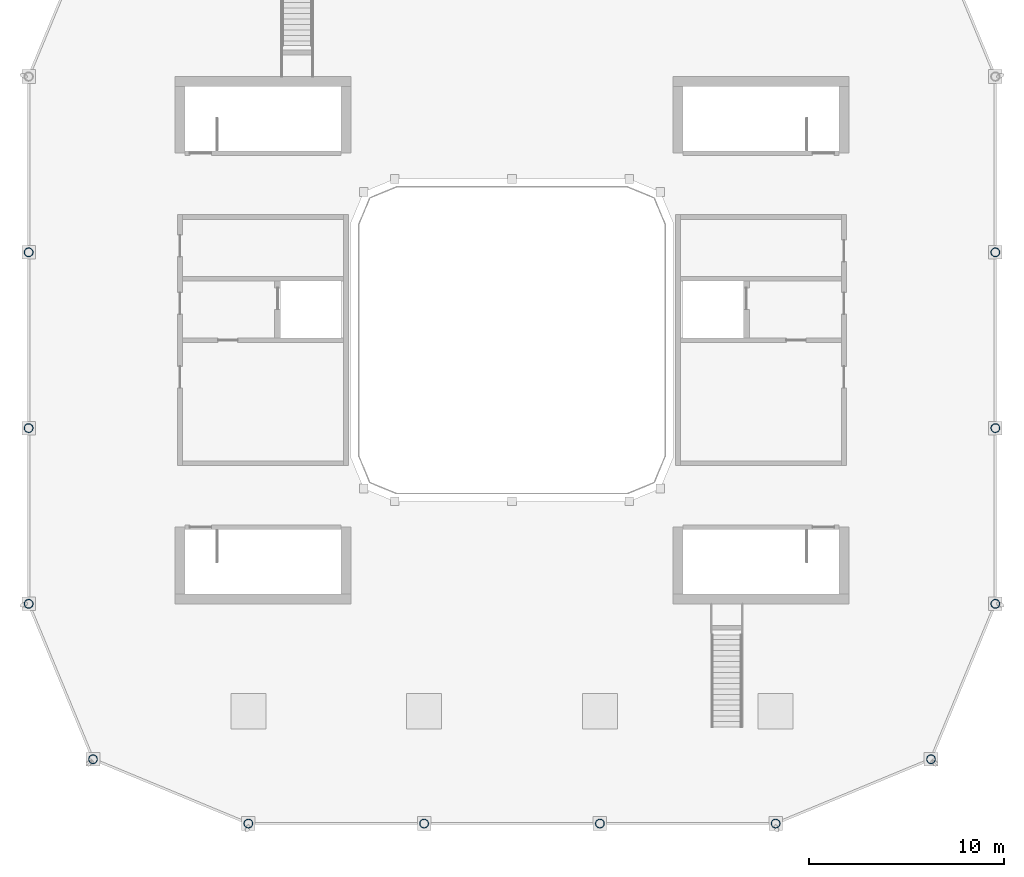
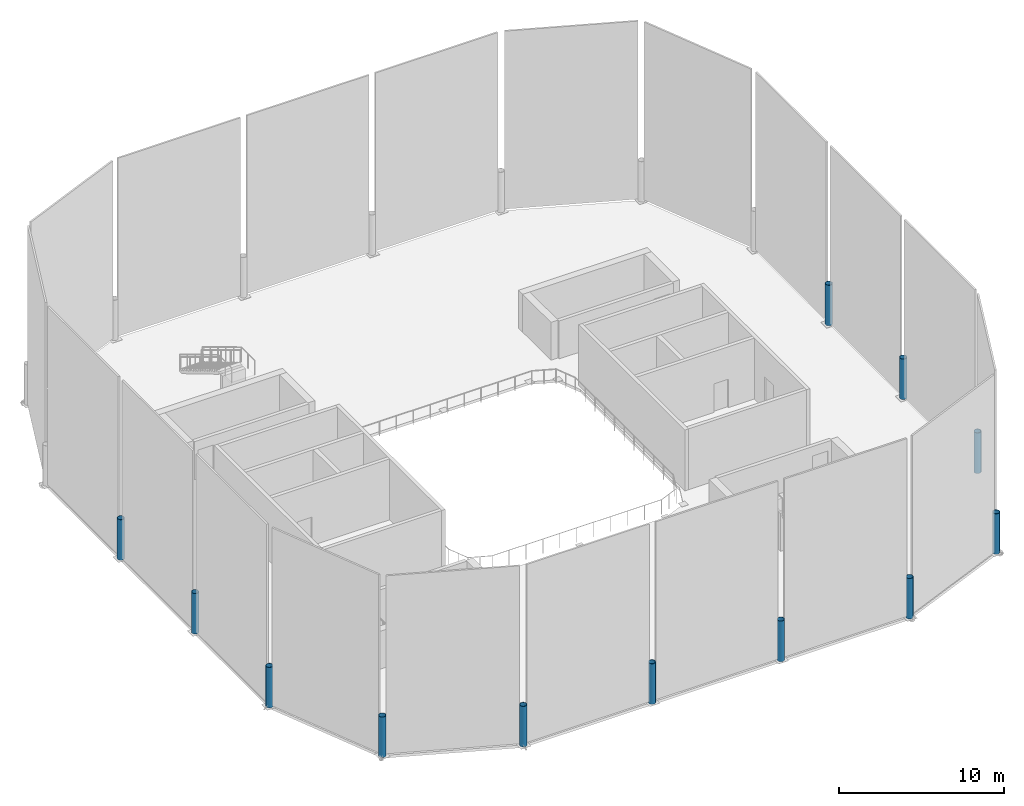
# One storey, part 1 of 8: 12 columns.
"""IFC4 building model written with IfcOpenShell, lengths in metres."""

from ifc_helpers import new_model, si_unit, direction, frame, origin, origin_2d, place, context, subcontext, project, spatial, hollow_circle, extrude, material, material_profile, profile_set, type_object, element, save


model = new_model("IFC4")

# Units and contexts
model_context = context("Model", 3, precision=1e-05, world=origin(), true_north=direction((0.0, 1.0)))
body_context = subcontext(model_context, "Body", "Model", "MODEL_VIEW")
ifc_project = project(units=[si_unit("LENGTHUNIT", "METRE"), si_unit("AREAUNIT", "SQUARE_METRE"), si_unit("VOLUMEUNIT", "CUBIC_METRE"), si_unit("PLANEANGLEUNIT", "RADIAN"), si_unit("MASSUNIT", "GRAM", prefix="KILO")], contexts=[model_context])

# Site, building, storey
site_placement = place(None, origin())
site = spatial("IfcSite", under=ifc_project, at=site_placement, CompositionType="ELEMENT")
building_placement = place(site_placement, origin())
building = spatial("IfcBuilding", under=site, at=building_placement, Name="Siwar Civic Tower", CompositionType="ELEMENT")
storey_placement = place(building_placement, frame((0.0, 0.0, 358.199951171875)))
storey = spatial("IfcBuildingStorey", under=building, at=storey_placement, Name="ROOF", CompositionType="ELEMENT", Elevation=358.199951171875)

# Columns
ifc_material = material(Name="Steel S355", Category="steel")
ifc_material_profile = material_profile(ifc_material, hollow_circle(Radius=0.228515625, WallThickness=0.02001953125, at=origin_2d()), Name="CHS457x20")
ifc_profile_set = profile_set([ifc_material_profile], Name="Steel S355")
column_type = type_object("IfcColumnType", Name="ENV-CROWN POST", PredefinedType="COLUMN", material=ifc_profile_set)
for number, where, z_axis, x_axis, name in (
    (1, (-13.5, -24.75, 0.0), (0.0, 0.0, 1.0), (1.0, 0.0, 0.0), "Crown post S-0"),
    (2, (-4.5, -24.75, 0.0), (0.0, 0.0, 1.0), (1.0, 0.0, 0.0), "Crown post S-1"),
    (3, (4.5, -24.75, 0.0), (0.0, 0.0, 1.0), (1.0, 0.0, 0.0), "Crown post S-2"),
    (4, (13.5, -24.75, 0.0), (0.0, 0.0, 1.0), (1.0, 0.0, 0.0), "Crown post SE1-0"),
    (5, (21.454833984375, -21.454833984375, 0.0), (0.0, 0.0, 1.0), (1.0, 0.0, 0.0), "Crown post SE2-0"),
    (6, (24.75, -13.5, 0.0), (0.0, 0.0, 1.0), (1.0, 0.0, 0.0), "Crown post E-0"),
    (7, (24.75, -4.5, 0.0), (0.0, 0.0, 1.0), (1.0, 0.0, 0.0), "Crown post E-1"),
    (8, (24.75, 4.5, 0.0), (0.0, 0.0, 1.0), (1.0, 0.0, 0.0), "Crown post E-2"),
    (9, (-24.75, 4.5, 0.0), (0.0, 0.0, 1.0), (1.0, 0.0, 0.0), "Crown post W-1"),
    (10, (-24.75, -4.5, 0.0), (0.0, 0.0, 1.0), (1.0, 0.0, 0.0), "Crown post W-2"),
    (11, (-24.75, -13.5, 0.0), (0.0, 0.0, 1.0), (1.0, 0.0, 0.0), "Crown post SW1-0"),
    (12, (-21.454833984375, -21.454833984375, 0.0), (0.0, 0.0, 1.0), (1.0, 0.0, 0.0), "Crown post SW2-0"),
):
    element("IfcColumn", number, at=place(storey_placement, frame(where, z_axis=z_axis, x_axis=x_axis)), inside=storey, type_object=column_type, Name=name, PredefinedType="COLUMN", context=body_context, shape_type="SweptSolid", body=[
        extrude(hollow_circle(Radius=0.228515625, WallThickness=0.02001953125, at=origin_2d()), origin(), (0.0, 0.0, 1.0), 3.0),
    ])

save(model, "model.ifc")
